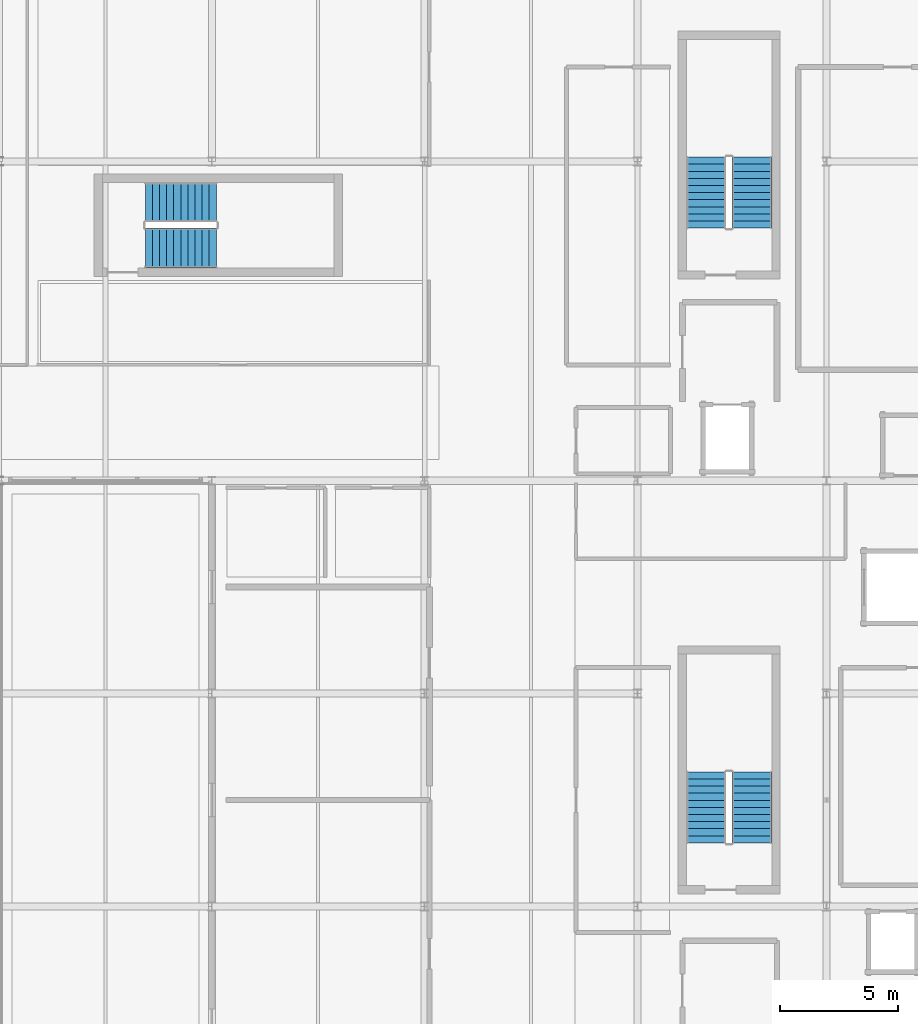
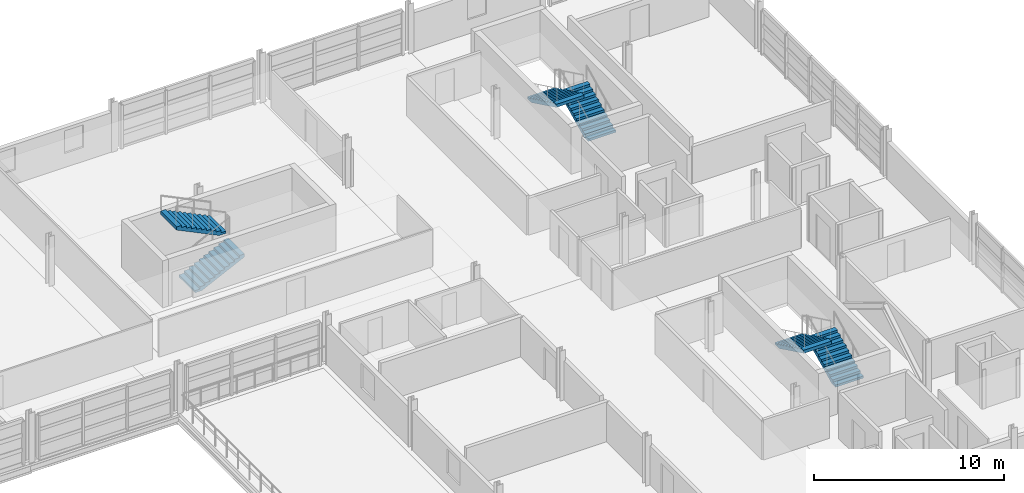
# One storey, part 25 of 30: 6 stair flights, 3 elements without a shape of their own.
"""IFC4 building model written with IfcOpenShell, lengths in metres."""

from ifc_helpers import new_model, si_unit, direction, frame, origin, place, context, subcontext, project, spatial, polyline, outline, extrude, material, type_object, element, aggregate, save


model = new_model("IFC4")

# Units and contexts
model_context = context("Model", 3, precision=1e-05, world=origin(), true_north=direction((0.0, 1.0)))
body_context = subcontext(model_context, "Body", "Model", "MODEL_VIEW")
ifc_project = project(units=[si_unit("LENGTHUNIT", "METRE"), si_unit("AREAUNIT", "SQUARE_METRE"), si_unit("VOLUMEUNIT", "CUBIC_METRE"), si_unit("PLANEANGLEUNIT", "RADIAN"), si_unit("MASSUNIT", "GRAM", prefix="KILO")], contexts=[model_context])

# Site, building, storey
site_placement = place(None, origin())
site = spatial("IfcSite", under=ifc_project, at=site_placement, CompositionType="ELEMENT")
building_placement = place(site_placement, origin())
building = spatial("IfcBuilding", under=site, at=building_placement, Name="Chuanluo Vaults Station", CompositionType="ELEMENT")
storey_placement = place(building_placement, frame((0.0, 0.0, 17.60009765625)))
storey = spatial("IfcBuildingStorey", under=building, at=storey_placement, Name="L04", CompositionType="ELEMENT", Elevation=17.60009765625)

# Stair, stair flights
ifc_material_1 = material(Name="Concrete C40", Category="concrete")
stair_type = type_object("IfcStairType", Name="STR-TWO-1600", PredefinedType="HALF_TURN_STAIR", material=ifc_material_1)
stair_1_placement = place(storey_placement, origin())
stair_1 = element("IfcStair", 1, at=stair_1_placement, inside=storey, type_object=stair_type, Name="L04 ST-01", PredefinedType="HALF_TURN_STAIR")
ifc_material_2 = material(Name="Concrete C40", Category="concrete")
stair_flight_type = type_object("IfcStairFlightType", Name="SFL-STR-1600", PredefinedType="STRAIGHT", material=ifc_material_2)
stair_flight_1_placement = place(storey_placement, frame((176.844970703125, 88.1875, 0.0), z_axis=(0.0, 0.0, 1.0), x_axis=(0.0, 1.0, 0.0)))
stair_flight_1 = element("IfcStairFlight", 2, at=stair_flight_1_placement, type_object=stair_flight_type, Name="ST-01 flight 1", NumberOfRisers=11, NumberOfTreads=10, PredefinedType="STRAIGHT", RiserHeight=0.145454545, TreadLength=0.3, context=body_context, shape_type="SweptSolid", body=[
    extrude(outline(polyline([(0.0, 0.0), (0.0, 0.1455078125), (0.300048828125, 0.1455078125), (0.300048828125, 0.291015625), (0.60009765625, 0.291015625), (0.60009765625, 0.436279296875), (0.89990234375, 0.436279296875), (0.89990234375, 0.581787109375), (1.199951171875, 0.581787109375), (1.199951171875, 0.727294921875), (1.5, 0.727294921875), (1.5, 0.872802734375), (1.800048828125, 0.872802734375), (1.800048828125, 1.01806640625), (2.10009765625, 1.01806640625), (2.10009765625, 1.16357421875), (2.39990234375, 1.16357421875), (2.39990234375, 1.30908203125), (2.699951171875, 1.30908203125), (2.699951171875, 1.45458984375), (3.0, 1.45458984375), (3.0, 1.60009765625), (3.0, 1.254638671875), (0.412353515625, 0.0), (0.0, 0.0)])), frame((0.0, 0.842529296875, 0.0), z_axis=(0.0, -1.0, 0.0), x_axis=(1.0, 0.0, 0.0)), (0.0, 0.0, 1.0), 1.68505859375),
])
stair_flight_2_placement = place(storey_placement, frame((174.909912109375, 91.1875, 1.599853515625), z_axis=(0.0, 0.0, 1.0), x_axis=(0.0, -1.0, 0.0)))
stair_flight_2 = element("IfcStairFlight", 3, at=stair_flight_2_placement, type_object=stair_flight_type, Name="ST-01 flight 2", NumberOfRisers=11, NumberOfTreads=10, PredefinedType="STRAIGHT", RiserHeight=0.145454545, TreadLength=0.3, context=body_context, shape_type="SweptSolid", body=[
    extrude(outline(polyline([(0.0, 0.0), (0.0, 0.1455078125), (0.300048828125, 0.1455078125), (0.300048828125, 0.291015625), (0.60009765625, 0.291015625), (0.60009765625, 0.436279296875), (0.89990234375, 0.436279296875), (0.89990234375, 0.581787109375), (1.199951171875, 0.581787109375), (1.199951171875, 0.727294921875), (1.5, 0.727294921875), (1.5, 0.872802734375), (1.800048828125, 0.872802734375), (1.800048828125, 1.01806640625), (2.10009765625, 1.01806640625), (2.10009765625, 1.16357421875), (2.39990234375, 1.16357421875), (2.39990234375, 1.30908203125), (2.699951171875, 1.30908203125), (2.699951171875, 1.45458984375), (3.0, 1.45458984375), (3.0, 1.60009765625), (3.0, 1.254638671875), (0.412353515625, 0.0), (0.0, 0.0)])), frame((0.0, 0.842529296875, 0.0), z_axis=(0.0, -1.0, 0.0), x_axis=(1.0, 0.0, 0.0)), (0.0, 0.0, 1.0), 1.68505859375),
])
aggregate(stair_1, [stair_flight_1, stair_flight_2])

stair_2_placement = place(storey_placement, origin())
stair_2 = element("IfcStair", 4, at=stair_2_placement, inside=storey, type_object=stair_type, Name="L04 ST-02", PredefinedType="HALF_TURN_STAIR")
stair_flight_3_placement = place(storey_placement, frame((176.844970703125, 114.1875, 0.0), z_axis=(0.0, 0.0, 1.0), x_axis=(0.0, 1.0, 0.0)))
stair_flight_3 = element("IfcStairFlight", 5, at=stair_flight_3_placement, type_object=stair_flight_type, Name="ST-02 flight 1", NumberOfRisers=11, NumberOfTreads=10, PredefinedType="STRAIGHT", RiserHeight=0.145454545, TreadLength=0.3, context=body_context, shape_type="SweptSolid", body=[
    extrude(outline(polyline([(0.0, 0.0), (0.0, 0.1455078125), (0.300048828125, 0.1455078125), (0.300048828125, 0.291015625), (0.60009765625, 0.291015625), (0.60009765625, 0.436279296875), (0.89990234375, 0.436279296875), (0.89990234375, 0.581787109375), (1.199951171875, 0.581787109375), (1.199951171875, 0.727294921875), (1.5, 0.727294921875), (1.5, 0.872802734375), (1.800048828125, 0.872802734375), (1.800048828125, 1.01806640625), (2.10009765625, 1.01806640625), (2.10009765625, 1.16357421875), (2.39990234375, 1.16357421875), (2.39990234375, 1.30908203125), (2.699951171875, 1.30908203125), (2.699951171875, 1.45458984375), (3.0, 1.45458984375), (3.0, 1.60009765625), (3.0, 1.254638671875), (0.412353515625, 0.0), (0.0, 0.0)])), frame((0.0, 0.842529296875, 0.0), z_axis=(0.0, -1.0, 0.0), x_axis=(1.0, 0.0, 0.0)), (0.0, 0.0, 1.0), 1.68505859375),
])
stair_flight_4_placement = place(storey_placement, frame((174.909912109375, 117.1875, 1.599853515625), z_axis=(0.0, 0.0, 1.0), x_axis=(0.0, -1.0, 0.0)))
stair_flight_4 = element("IfcStairFlight", 6, at=stair_flight_4_placement, type_object=stair_flight_type, Name="ST-02 flight 2", NumberOfRisers=11, NumberOfTreads=10, PredefinedType="STRAIGHT", RiserHeight=0.145454545, TreadLength=0.3, context=body_context, shape_type="SweptSolid", body=[
    extrude(outline(polyline([(0.0, 0.0), (0.0, 0.1455078125), (0.300048828125, 0.1455078125), (0.300048828125, 0.291015625), (0.60009765625, 0.291015625), (0.60009765625, 0.436279296875), (0.89990234375, 0.436279296875), (0.89990234375, 0.581787109375), (1.199951171875, 0.581787109375), (1.199951171875, 0.727294921875), (1.5, 0.727294921875), (1.5, 0.872802734375), (1.800048828125, 0.872802734375), (1.800048828125, 1.01806640625), (2.10009765625, 1.01806640625), (2.10009765625, 1.16357421875), (2.39990234375, 1.16357421875), (2.39990234375, 1.30908203125), (2.699951171875, 1.30908203125), (2.699951171875, 1.45458984375), (3.0, 1.45458984375), (3.0, 1.60009765625), (3.0, 1.254638671875), (0.412353515625, 0.0), (0.0, 0.0)])), frame((0.0, 0.842529296875, 0.0), z_axis=(0.0, -1.0, 0.0), x_axis=(1.0, 0.0, 0.0)), (0.0, 0.0, 1.0), 1.68505859375),
])
aggregate(stair_2, [stair_flight_3, stair_flight_4])

stair_3_placement = place(storey_placement, origin())
stair_3 = element("IfcStair", 7, at=stair_3_placement, inside=storey, type_object=stair_type, Name="L04 ST-03", PredefinedType="HALF_TURN_STAIR")
stair_flight_5_placement = place(storey_placement, frame((151.1875, 113.342529296875, 0.0), z_axis=(0.0, 0.0, 1.0), x_axis=(1.0, 0.0, 0.0)))
stair_flight_5 = element("IfcStairFlight", 8, at=stair_flight_5_placement, type_object=stair_flight_type, Name="ST-03 flight 1", NumberOfRisers=11, NumberOfTreads=10, PredefinedType="STRAIGHT", RiserHeight=0.145454545, TreadLength=0.3, context=body_context, shape_type="SweptSolid", body=[
    extrude(outline(polyline([(0.0, 0.0), (0.0, 0.1455078125), (0.300048828125, 0.1455078125), (0.300048828125, 0.291015625), (0.60009765625, 0.291015625), (0.60009765625, 0.436279296875), (0.89990234375, 0.436279296875), (0.89990234375, 0.581787109375), (1.199951171875, 0.581787109375), (1.199951171875, 0.727294921875), (1.5, 0.727294921875), (1.5, 0.872802734375), (1.800048828125, 0.872802734375), (1.800048828125, 1.01806640625), (2.10009765625, 1.01806640625), (2.10009765625, 1.16357421875), (2.39990234375, 1.16357421875), (2.39990234375, 1.30908203125), (2.699951171875, 1.30908203125), (2.699951171875, 1.45458984375), (3.0, 1.45458984375), (3.0, 1.60009765625), (3.0, 1.254638671875), (0.412353515625, 0.0), (0.0, 0.0)])), frame((0.0, 0.842529296875, 0.0), z_axis=(0.0, -1.0, 0.0), x_axis=(1.0, 0.0, 0.0)), (0.0, 0.0, 1.0), 1.68505859375),
])
stair_flight_6_placement = place(storey_placement, frame((154.1875, 115.277587890625, 1.599853515625), z_axis=(0.0, 0.0, 1.0), x_axis=(-1.0, 0.0, 0.0)))
stair_flight_6 = element("IfcStairFlight", 9, at=stair_flight_6_placement, type_object=stair_flight_type, Name="ST-03 flight 2", NumberOfRisers=11, NumberOfTreads=10, PredefinedType="STRAIGHT", RiserHeight=0.145454545, TreadLength=0.3, context=body_context, shape_type="SweptSolid", body=[
    extrude(outline(polyline([(0.0, 0.0), (0.0, 0.1455078125), (0.300048828125, 0.1455078125), (0.300048828125, 0.291015625), (0.60009765625, 0.291015625), (0.60009765625, 0.436279296875), (0.89990234375, 0.436279296875), (0.89990234375, 0.581787109375), (1.199951171875, 0.581787109375), (1.199951171875, 0.727294921875), (1.5, 0.727294921875), (1.5, 0.872802734375), (1.800048828125, 0.872802734375), (1.800048828125, 1.01806640625), (2.10009765625, 1.01806640625), (2.10009765625, 1.16357421875), (2.39990234375, 1.16357421875), (2.39990234375, 1.30908203125), (2.699951171875, 1.30908203125), (2.699951171875, 1.45458984375), (3.0, 1.45458984375), (3.0, 1.60009765625), (3.0, 1.254638671875), (0.412353515625, 0.0), (0.0, 0.0)])), frame((0.0, 0.842529296875, 0.0), z_axis=(0.0, -1.0, 0.0), x_axis=(1.0, 0.0, 0.0)), (0.0, 0.0, 1.0), 1.68505859375),
])
aggregate(stair_3, [stair_flight_5, stair_flight_6])

save(model, "model.ifc")
